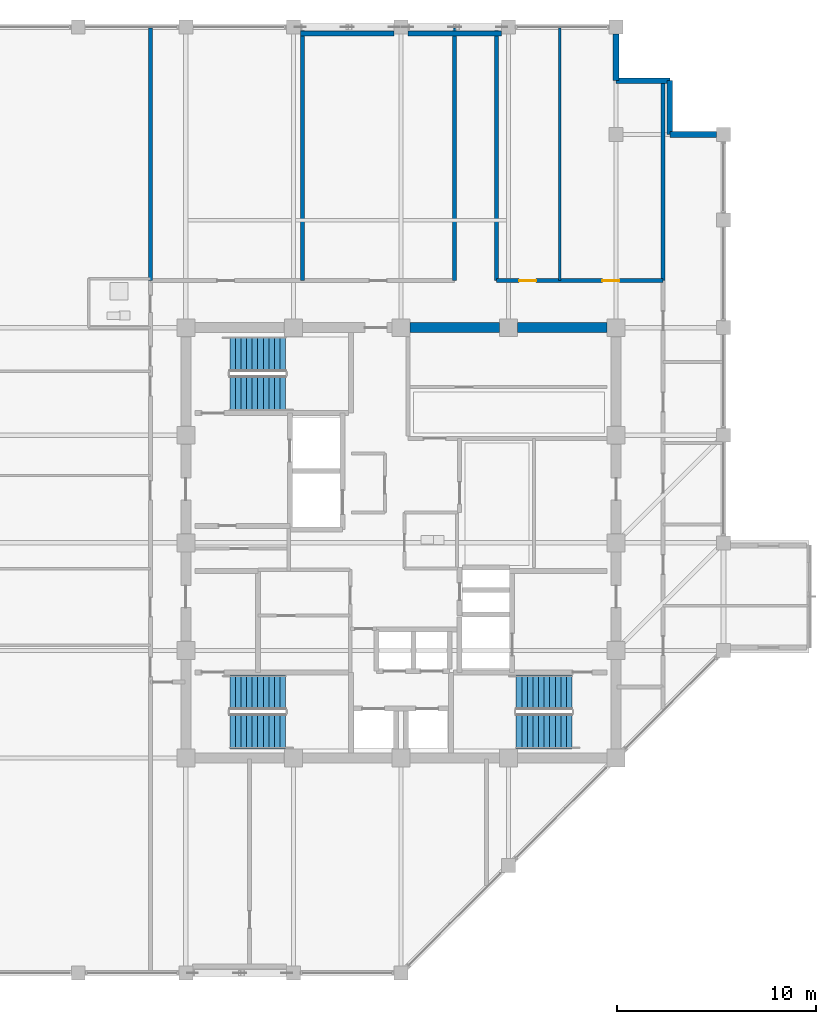
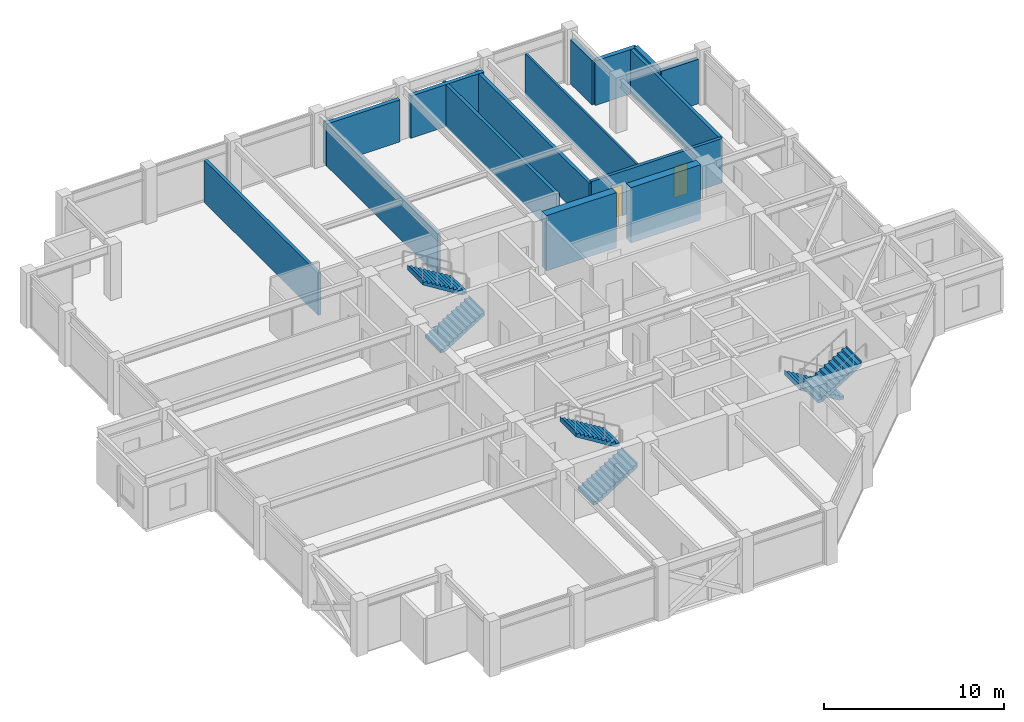
# One storey, part 28 of 31: 15 walls, 6 stair flights, 2 doors, 2 openings, 3 elements without a shape of their own.
"""IFC4 building model written with IfcOpenShell, lengths in metres."""

import ifcopenshell
import ifcopenshell.guid

model = None  # the IFC model being written
_history = None  # IfcOwnerHistory: only IFC2X3 demands one
_inside = {}  # id of a spatial element -> (the spatial element, [elements in it])
_under = {}  # id of a project, library or spatial element -> (it, [spatial elements below it])
_declared = {}  # id of a project -> (the project, [libraries it declares])
_typed = {}  # id of a type object -> (the type object, [elements of that type])
_made_of = {}  # id of a material, layer set ... -> (it, [elements and type objects made of it])


def new_model(schema):
    """Start an empty IFC model of exactly this schema.

    Asked for "IFC4X3", IfcOpenShell would pick the latest addendum, in which some entities
    have other attributes; the version numbers below select the first issue.
    IFC2X3 requires an IfcOwnerHistory on every rooted entity: one is made here for all.
    """
    global model, _history
    if schema == "IFC4X3":
        model = ifcopenshell.file(schema_version=(4, 3, 0, 0))
    else:
        model = ifcopenshell.file(schema=schema)
    _inside.clear()
    _under.clear()
    _declared.clear()
    _typed.clear()
    _made_of.clear()
    _history = None
    if model.schema == "IFC2X3":
        org = make("IfcOrganization", Name="unknown")
        user = make(
            "IfcPersonAndOrganization",
            ThePerson=make("IfcPerson", FamilyName="unknown"),
            TheOrganization=org,
        )
        app = make(
            "IfcApplication",
            ApplicationDeveloper=org,
            Version="unknown",
            ApplicationFullName="unknown",
            ApplicationIdentifier="unknown",
        )
        _history = make(
            "IfcOwnerHistory",
            OwningUser=user,
            OwningApplication=app,
            ChangeAction="ADDED",
            CreationDate=0,
        )
    return model


def make(cls, **values):
    """One entity of the class cls with the attributes given. An attribute that is None is left unset."""
    return model.create_entity(
        cls, **{name: value for name, value in values.items() if value is not None}
    )


def rooted(cls, **values):
    """An entity with a GlobalId (a new one), such as an element, a storey or a relation."""
    return make(cls, GlobalId=ifcopenshell.guid.new(), OwnerHistory=_history, **values)


def si_unit(unit_type, name, prefix=None):
    """IfcSIUnit, for example si_unit("LENGTHUNIT", "METRE", prefix="MILLI")."""
    return make("IfcSIUnit", UnitType=unit_type, Prefix=prefix, Name=name)


def assignment(units):
    """IfcUnitAssignment: the units of a project."""
    return None if units is None else make("IfcUnitAssignment", Units=units)


def point(xyz):
    """IfcCartesianPoint."""
    return None if xyz is None else make("IfcCartesianPoint", Coordinates=xyz)


def direction(xyz):
    """IfcDirection."""
    return None if xyz is None else make("IfcDirection", DirectionRatios=xyz)


def frame(location, z_axis=None, x_axis=None):
    """IfcAxis2Placement3D, a coordinate frame: its origin and axes. An axis left out is left unset."""
    return make(
        "IfcAxis2Placement3D",
        Location=point(location),
        Axis=direction(z_axis),
        RefDirection=direction(x_axis),
    )


def frame_2d(location, x_axis=None):
    """IfcAxis2Placement2D, a coordinate frame in the plane: its origin and x axis."""
    return make(
        "IfcAxis2Placement2D", Location=point(location), RefDirection=direction(x_axis)
    )


def origin():
    """The frame at (0, 0, 0) with its axes left unset."""
    return frame((0.0, 0.0, 0.0))


def place(relative_to, where):
    """IfcLocalPlacement: puts the frame where relative to a parent placement (None: the world)."""
    return make(
        "IfcLocalPlacement", PlacementRelTo=relative_to, RelativePlacement=where
    )


def context(
    kind, dimensions, precision=None, world=None, true_north=None, identifier=None
):
    """IfcGeometricRepresentationContext, for example the 3D "Model" context."""
    return make(
        "IfcGeometricRepresentationContext",
        ContextIdentifier=identifier,
        ContextType=kind,
        CoordinateSpaceDimension=dimensions,
        Precision=precision,
        WorldCoordinateSystem=world,
        TrueNorth=true_north,
    )


def subcontext(parent, identifier, kind, view, scale=None):
    """IfcGeometricRepresentationSubContext, for example "Body" below "Model"."""
    return make(
        "IfcGeometricRepresentationSubContext",
        ContextIdentifier=identifier,
        ContextType=kind,
        ParentContext=parent,
        TargetScale=scale,
        TargetView=view,
    )


def project(units=None, contexts=None):
    """IfcProject with its units and contexts."""
    return rooted(
        "IfcProject",
        Name="project",
        RepresentationContexts=contexts,
        UnitsInContext=assignment(units),
    )


def spatial(cls, under=None, at=None, **own):
    """A site, building, storey or space (cls), placed at a placement, below another one or the project."""
    s = rooted(cls, ObjectPlacement=at, **own)
    if under is not None:
        _under.setdefault(under.id(), (under, []))[1].append(s)
    return s


def polyline(points):
    """IfcPolyline through the points."""
    return make("IfcPolyline", Points=[point(p) for p in points])


def profile(cls, at=None, kind="AREA", **sizes):
    """A parametric profile (cls). Its sizes go by their IFC names, for example OverallWidth=200.0."""
    return make(cls, ProfileType=kind, Position=at, **sizes)


def rectangle(**sizes):
    """IfcRectangleProfileDef."""
    return profile("IfcRectangleProfileDef", **sizes)


def outline(outer, holes=None, kind="AREA"):
    """IfcArbitraryClosedProfileDef: a profile drawn as a closed curve; with holes, ...WithVoids."""
    if holes is None:
        return make("IfcArbitraryClosedProfileDef", ProfileType=kind, OuterCurve=outer)
    return make(
        "IfcArbitraryProfileDefWithVoids",
        ProfileType=kind,
        OuterCurve=outer,
        InnerCurves=holes,
    )


def extrude(swept, where, along, depth):
    """IfcExtrudedAreaSolid: the profile swept, set in the frame where, extruded along a direction by depth."""
    return make(
        "IfcExtrudedAreaSolid",
        SweptArea=swept,
        Position=where,
        ExtrudedDirection=direction(along),
        Depth=depth,
    )


def shape(context_of_items, identifier, shape_type, items):
    """IfcShapeRepresentation: the items that make up one representation, for example the "Body"."""
    return make(
        "IfcShapeRepresentation",
        ContextOfItems=context_of_items,
        RepresentationIdentifier=identifier,
        RepresentationType=shape_type,
        Items=items,
    )


def material(Name=None, Category=None):
    """IfcMaterial."""
    return make("IfcMaterial", Name=Name, Category=Category)


def layer(
    of_material, thickness, ventilated=None, Name=None, Category=None, Priority=None
):
    """IfcMaterialLayer: one layer of a wall or slab, of a material (None: an air gap)."""
    return make(
        "IfcMaterialLayer",
        Material=of_material,
        LayerThickness=thickness,
        IsVentilated=ventilated,
        Name=Name,
        Category=Category,
        Priority=Priority,
    )


def layer_set(layers, Name=None):
    """IfcMaterialLayerSet."""
    return make("IfcMaterialLayerSet", MaterialLayers=layers, LayerSetName=Name)


def made_of(thing, what):
    """Note that an element or type object is made of a material, layer set ...; save() writes the relation."""
    if what is not None:
        _made_of.setdefault(what.id(), (what, []))[1].append(thing)
    return thing


def type_object(cls, material=None, **own):
    """A type object (cls), such as IfcWallType, which elements share."""
    return made_of(rooted(cls, **own), material)


def element(
    cls,
    number,
    at=None,
    inside=None,
    cuts=None,
    type_object=None,
    material=None,
    context=None,
    identifier="Body",
    shape_type=None,
    held_by="IfcProductDefinitionShape",
    body=None,
    shapes=None,
    **own,
):
    """One element of the class cls, such as IfcWall. Its Tag is "e" and its number.

    at: its placement. inside: the storey or other place that contains it. cuts: it is an
    opening in that element (IfcRelVoidsElement). A single representation is given by context,
    identifier, shape_type and body (its items); several are given by shapes. held_by: the class
    of the entity that holds the representations. save() writes the other relations.
    """
    e = rooted(cls, Tag="e%d" % number, ObjectPlacement=at, **own)
    if body is not None:
        shapes = [shape(context, identifier, shape_type, body)]
    if shapes is not None:
        e.Representation = make(held_by, Representations=shapes)
    if inside is not None:
        _inside.setdefault(inside.id(), (inside, []))[1].append(e)
    if cuts is not None:
        rooted(
            "IfcRelVoidsElement", RelatingBuildingElement=cuts, RelatedOpeningElement=e
        )
    if type_object is not None:
        _typed.setdefault(type_object.id(), (type_object, []))[1].append(e)
    return made_of(e, material)


def fill(opening, filler):
    """IfcRelFillsElement: the door or window that sits in an opening."""
    return rooted(
        "IfcRelFillsElement",
        RelatingOpeningElement=opening,
        RelatedBuildingElement=filler,
    )


def aggregate(whole, parts):
    """IfcRelAggregates: a whole, such as a stair, and the parts it consists of."""
    return rooted("IfcRelAggregates", RelatingObject=whole, RelatedObjects=parts)


def save(model, path):
    """Write the relations noted so far, then the file.

    IfcRelAggregates (storeys below a building ...), IfcRelContainedInSpatialStructure (elements
    in a storey), IfcRelDefinesByType, IfcRelAssociatesMaterial and IfcRelDeclares: one each for
    every whole, place, type object, material and project.
    """
    for whole, parts in _under.values():
        aggregate(whole, parts)
    for where, things in _inside.values():
        rooted(
            "IfcRelContainedInSpatialStructure",
            RelatedElements=things,
            RelatingStructure=where,
        )
    for kind, things in _typed.values():
        rooted("IfcRelDefinesByType", RelatedObjects=things, RelatingType=kind)
    for what, things in _made_of.values():
        rooted("IfcRelAssociatesMaterial", RelatedObjects=things, RelatingMaterial=what)
    for by, libraries in _declared.values():
        rooted("IfcRelDeclares", RelatingContext=by, RelatedDefinitions=libraries)
    model.write(path)


model = new_model("IFC4")

# Units and contexts
model_context = context("Model", 3, precision=1e-05, world=origin(), true_north=direction((0.0, 1.0)))
body_context = subcontext(model_context, "Body", "Model", "MODEL_VIEW")
ifc_project = project(units=[si_unit("LENGTHUNIT", "METRE"), si_unit("AREAUNIT", "SQUARE_METRE"), si_unit("VOLUMEUNIT", "CUBIC_METRE"), si_unit("PLANEANGLEUNIT", "RADIAN"), si_unit("MASSUNIT", "GRAM", prefix="KILO")], contexts=[model_context])

# Site, building, storey
site_placement = place(None, origin())
site = spatial("IfcSite", under=ifc_project, at=site_placement, CompositionType="ELEMENT")
building_placement = place(site_placement, origin())
building = spatial("IfcBuilding", under=site, at=building_placement, Name="Surkhivell Harbour Commons", CompositionType="ELEMENT")
storey_placement = place(building_placement, frame((0.0, 0.0, 318.75)))
storey = spatial("IfcBuildingStorey", under=building, at=storey_placement, Name="L83", CompositionType="ELEMENT", Elevation=318.75)

# Walls
ifc_material_1 = material(Name="Concrete C50/60", Category="concrete")
ifc_layer_1 = layer(ifc_material_1, 0.5)
ifc_layer_set_1 = layer_set([ifc_layer_1], Name="Concrete C50/60")
wall_type_1 = type_object("IfcWallType", Name="WAL-CORE-500", PredefinedType="SHEAR", material=ifc_layer_set_1)
for number, where, z_axis, x_axis, name in (
    (1, (0.4599609375, 10.800048828125, 0.0), (0.0, 0.0, 1.0), (1.0, 0.0, 0.0), "L83 Core Shear Wall North 3"),
    (2, (5.860107421875, 10.800048828125, 0.0), (0.0, 0.0, 1.0), (1.0, 0.0, 0.0), "L83 Core Shear Wall North 4"),
):
    element("IfcWall", number, at=place(storey_placement, frame(where, z_axis=z_axis, x_axis=x_axis)), inside=storey, type_object=wall_type_1, Name=name, PredefinedType="SHEAR", context=body_context, shape_type="SweptSolid", body=[
        extrude(rectangle(XDim=4.47998046875, YDim=0.5, at=frame_2d((2.239990234375, 0.0))), origin(), (0.0, 0.0, 1.0), 3.75),
    ])
ifc_material_2 = material(Name="Pale-metal insulated precast concrete C45/55", Category="concrete")
ifc_layer_2 = layer(ifc_material_2, 0.260009765625)
ifc_layer_set_2 = layer_set([ifc_layer_2], Name="Pale-metal insulated precast concrete C45/55")
wall_type_2 = type_object("IfcWallType", Name="WAL-EXT-MTL260", PredefinedType="STANDARD", material=ifc_layer_set_2)
for number, where, z_axis, x_axis, name in (
    (3, (-0.347900390625, 25.56494140625, 0.0), (0.0, 0.0, 1.0), (-1.0, 0.0, 0.0), "L83 Braced-Bay Insulated Spandrel Backing N"),
    (4, (5.052001953125, 25.56494140625, 0.0), (0.0, 0.0, 1.0), (-1.0, 0.0, 0.0), "L83 Braced-Bay Insulated Spandrel Backing N2"),
):
    element("IfcWall", number, at=place(storey_placement, frame(where, z_axis=z_axis, x_axis=x_axis)), inside=storey, type_object=wall_type_2, Name=name, PredefinedType="STANDARD", context=body_context, shape_type="SweptSolid", body=[
        extrude(rectangle(XDim=4.7041015625, YDim=0.260009765625, at=frame_2d((2.35205078125, 0.0))), origin(), (0.0, 0.0, 1.0), 2.85693359375),
    ])
ifc_material_3 = material(Name="Terracotta-clad reinforced concrete C45/55", Category="masonry")
ifc_layer_3 = layer(ifc_material_3, 0.280029296875)
ifc_layer_set_3 = layer_set([ifc_layer_3], Name="Terracotta-clad reinforced concrete C45/55")
wall_type_3 = type_object("IfcWallType", Name="WAL-EXT-TER280", PredefinedType="STANDARD", material=ifc_layer_set_3)
wall_1_placement = place(storey_placement, frame((15.85205078125, 20.5, 0.0), z_axis=(0.0, 0.0, 1.0), x_axis=(-1.0, 0.0, 0.0)))
element("IfcWall", 5, at=wall_1_placement, inside=storey, type_object=wall_type_3, Name="L83 Serrated Corner Facade Wall 03", PredefinedType="STANDARD", context=body_context, shape_type="SweptSolid", body=[
    extrude(rectangle(XDim=2.35205078125, YDim=0.280029296875, at=frame_2d((1.176025390625, 0.0))), origin(), (0.0, 0.0, 1.0), 3.012939453125),
])
for number, where, z_axis, x_axis, name in (
    (6, (13.5, 20.5, 0.0), (0.0, 0.0, 1.0), (0.0, 1.0, 0.0), "L83 Serrated Corner Facade Wall 04"),
    (7, (13.5, 23.199951171875, 0.0), (0.0, 0.0, 1.0), (-1.0, 0.0, 0.0), "L83 Serrated Corner Facade Wall 05"),
):
    element("IfcWall", number, at=place(storey_placement, frame(where, z_axis=z_axis, x_axis=x_axis)), inside=storey, type_object=wall_type_3, Name=name, PredefinedType="STANDARD", context=body_context, shape_type="SweptSolid", body=[
        extrude(rectangle(XDim=2.699951171875, YDim=0.280029296875, at=frame_2d((1.35009765625, 0.0))), origin(), (0.0, 0.0, 1.0), 3.012939453125),
    ])
wall_2_placement = place(storey_placement, frame((10.800048828125, 23.199951171875, 0.0), z_axis=(0.0, 0.0, 1.0), x_axis=(0.0, 1.0, 0.0)))
element("IfcWall", 8, at=wall_2_placement, inside=storey, type_object=wall_type_3, Name="L83 Serrated Corner Facade Wall 06", PredefinedType="STANDARD", context=body_context, shape_type="SweptSolid", body=[
    extrude(rectangle(XDim=2.35205078125, YDim=0.280029296875, at=frame_2d((1.176025390625, 0.0))), origin(), (0.0, 0.0, 1.0), 3.012939453125),
])
ifc_material_4 = material(Name="Moisture-resistant acoustic stud partition", Category="other")
ifc_layer_4 = layer(ifc_material_4, 0.125)
ifc_layer_set_4 = layer_set([ifc_layer_4], Name="Moisture-resistant acoustic stud partition")
wall_type_4 = type_object("IfcWallType", Name="WAL-INT-125", PredefinedType="PARTITIONING", material=ifc_layer_set_4)
wall_3_placement = place(storey_placement, frame((7.97998046875, 13.159912109375, 0.0), z_axis=(0.0, 0.0, 1.0), x_axis=(0.0, 1.0, 0.0)))
element("IfcWall", 9, at=wall_3_placement, inside=storey, type_object=wall_type_4, Name="L83 North-East Partition P1", PredefinedType="PARTITIONING", context=body_context, shape_type="SweptSolid", body=[
    extrude(rectangle(XDim=12.68017578125, YDim=0.125, at=frame_2d((6.340087890625, 0.0))), origin(), (0.0, 0.0, 1.0), 2.85693359375),
])
ifc_material_5 = material(Name="Autoclaved aerated concrete blockwork and fire plaster", Category="masonry")
ifc_layer_5 = layer(ifc_material_5, 0.199951171875)
ifc_layer_set_5 = layer_set([ifc_layer_5], Name="Autoclaved aerated concrete blockwork and fire plaster")
wall_type_5 = type_object("IfcWallType", Name="WAL-INT-200", PredefinedType="PARTITIONING", material=ifc_layer_set_5)
wall_4_placement = place(storey_placement, frame((13.159912109375, 13.159912109375, 0.0), z_axis=(0.0, 0.0, 1.0), x_axis=(0.0, 1.0, 0.0)))
element("IfcWall", 10, at=wall_4_placement, inside=storey, type_object=wall_type_5, Name="L83 North-East Corner Wall", PredefinedType="PARTITIONING", context=body_context, shape_type="SweptSolid", body=[
    extrude(rectangle(XDim=9.97998046875, YDim=0.199951171875, at=frame_2d((4.989990234375, 0.0))), origin(), (0.0, 0.0, 1.0), 3.012939453125),
])
wall_5_placement = place(storey_placement, frame((-12.580078125, 13.159912109375, 0.0), z_axis=(0.0, 0.0, 1.0), x_axis=(0.0, 1.0, 0.0)))
element("IfcWall", 11, at=wall_5_placement, inside=storey, type_object=wall_type_5, Name="L83 North-West Corner Wall", PredefinedType="PARTITIONING", context=body_context, shape_type="SweptSolid", body=[
    extrude(rectangle(XDim=12.68017578125, YDim=0.199951171875, at=frame_2d((6.340087890625, 0.0))), origin(), (0.0, 0.0, 1.0), 2.85693359375),
])

# Wall, openings, doors
wall_6_placement = place(storey_placement, frame((4.800048828125, 13.159912109375, 0.0), z_axis=(0.0, 0.0, 1.0), x_axis=(1.0, 0.0, 0.0)))
wall_6 = element("IfcWall", 12, at=wall_6_placement, inside=storey, type_object=wall_type_5, Name="L83 North-East Corridor Wall", PredefinedType="PARTITIONING", context=body_context, shape_type="SweptSolid", body=[
    extrude(rectangle(XDim=8.35986328125, YDim=0.199951171875, at=frame_2d((4.179931640625, 0.0))), origin(), (0.0, 0.0, 1.0), 3.012939453125),
])
opening_1_placement = place(wall_6_placement, frame((1.139892578125, 0.0, 0.0)))
opening_1 = element("IfcOpeningElement", 13, at=opening_1_placement, cuts=wall_6, Name="Opening ID-6", PredefinedType="OPENING", context=body_context, shape_type="SweptSolid", body=[
    extrude(rectangle(XDim=0.85009765625, YDim=2.10009765625, at=frame_2d((0.425048828125, 1.050048828125))), frame((0.0, 0.10986328125, 0.0), z_axis=(0.0, -1.0, 0.0), x_axis=(1.0, 0.0, 0.0)), (0.0, 0.0, 1.0), 0.219970703125),
])
opening_2_placement = place(wall_6_placement, frame((5.320068359375, 0.0, 0.0)))
opening_2 = element("IfcOpeningElement", 14, at=opening_2_placement, cuts=wall_6, Name="Opening ID-6", PredefinedType="OPENING", context=body_context, shape_type="SweptSolid", body=[
    extrude(rectangle(XDim=0.85009765625, YDim=2.10009765625, at=frame_2d((0.425048828125, 1.050048828125))), frame((0.0, 0.10986328125, 0.0), z_axis=(0.0, -1.0, 0.0), x_axis=(1.0, 0.0, 0.0)), (0.0, 0.0, 1.0), 0.219970703125),
])
ifc_material_6 = material(Name="Hardwood-veneered fire-rated door leaf", Category="wood")
door_type = type_object("IfcDoorType", Name="DOR-FD30-850", OperationType="NOTDEFINED", PredefinedType="DOOR", material=ifc_material_6)
door_1_placement = place(opening_1_placement, origin())
door_1 = element("IfcDoor", 15, at=door_1_placement, inside=storey, type_object=door_type, Name="L83 Harbour Reading Library North-East Door", OperationType="SINGLE_SWING_RIGHT", OverallHeight=2.10009765625, OverallWidth=0.85009765625, PredefinedType="DOOR", context=body_context, shape_type="SweptSolid", body=[
    extrude(rectangle(XDim=0.85009765625, YDim=2.10009765625, at=frame_2d((0.425048828125, 1.050048828125))), frame((0.0, 0.02490234375, 0.0), z_axis=(0.0, -1.0, 0.0), x_axis=(1.0, 0.0, 0.0)), (0.0, 0.0, 1.0), 0.050048828125),
])
fill(opening_1, door_1)
door_2_placement = place(opening_2_placement, origin())
door_2 = element("IfcDoor", 16, at=door_2_placement, inside=storey, type_object=door_type, Name="L83 Communal Dining Hall North-East Door", OperationType="SINGLE_SWING_LEFT", OverallHeight=2.10009765625, OverallWidth=0.85009765625, PredefinedType="DOOR", context=body_context, shape_type="SweptSolid", body=[
    extrude(rectangle(XDim=0.85009765625, YDim=2.10009765625, at=frame_2d((0.425048828125, 1.050048828125))), frame((0.0, 0.02490234375, 0.0), z_axis=(0.0, -1.0, 0.0), x_axis=(1.0, 0.0, 0.0)), (0.0, 0.0, 1.0), 0.050048828125),
])
fill(opening_2, door_2)

# Walls
for number, where, z_axis, x_axis, name in (
    (17, (4.800048828125, 13.159912109375, 0.0), (0.0, 0.0, 1.0), (0.0, 1.0, 0.0), "L83 North Spur East Wall"),
    (18, (2.699951171875, 13.159912109375, 0.0), (0.0, 0.0, 1.0), (0.0, 1.0, 0.0), "L83 North Spur West Wall"),
    (19, (-4.93994140625, 13.159912109375, 0.0), (0.0, 0.0, 1.0), (0.0, 1.0, 0.0), "L83 North-West Partition P1"),
):
    element("IfcWall", number, at=place(storey_placement, frame(where, z_axis=z_axis, x_axis=x_axis)), inside=storey, type_object=wall_type_5, Name=name, PredefinedType="PARTITIONING", context=body_context, shape_type="SweptSolid", body=[
        extrude(rectangle(XDim=12.68017578125, YDim=0.199951171875, at=frame_2d((6.340087890625, 0.0))), origin(), (0.0, 0.0, 1.0), 2.85693359375),
    ])

# Stair, stair flights
ifc_material_7 = material(Name="Precast concrete C45/55", Category="concrete")
stair_type = type_object("IfcStairType", Name="STR-DL-375", PredefinedType="HALF_TURN_STAIR", material=ifc_material_7)
stair_1_placement = place(storey_placement, origin())
stair_1 = element("IfcStair", 20, at=stair_1_placement, inside=storey, type_object=stair_type, Name="L83 Core Exit Stair ST1", PredefinedType="HALF_TURN_STAIR")
stair_flight_type = type_object("IfcStairFlightType", Name="STF-DL-375", PredefinedType="STRAIGHT", material=ifc_material_7)
stair_flight_1_placement = place(storey_placement, frame((-8.590087890625, 7.514892578125, 0.0), z_axis=(0.0, 0.0, 1.0), x_axis=(1.0, 0.0, 0.0)))
stair_flight_1 = element("IfcStairFlight", 21, at=stair_flight_1_placement, type_object=stair_flight_type, Name="ST1 flight 1", NumberOfRisers=11, NumberOfTreads=10, PredefinedType="STRAIGHT", RiserHeight=0.170454545, TreadLength=0.28, context=body_context, shape_type="SweptSolid", body=[
    extrude(outline(polyline([(-0.0029296875, -0.034912109375), (-0.0029296875, 0.0), (0.0, 0.0), (0.0, 0.17041015625), (0.280029296875, 0.17041015625), (0.280029296875, 0.3408203125), (0.56005859375, 0.3408203125), (0.56005859375, 0.511474609375), (0.840087890625, 0.511474609375), (0.840087890625, 0.681884765625), (1.1201171875, 0.681884765625), (1.1201171875, 0.852294921875), (1.39990234375, 0.852294921875), (1.39990234375, 1.022705078125), (1.679931640625, 1.022705078125), (1.679931640625, 1.193115234375), (1.9599609375, 1.193115234375), (1.9599609375, 1.363525390625), (2.239990234375, 1.363525390625), (2.239990234375, 1.5341796875), (2.52001953125, 1.5341796875), (2.52001953125, 1.70458984375), (2.800048828125, 1.70458984375), (2.800048828125, 1.875), (2.802978515625, 1.875), (2.802978515625, 1.529052734375), (0.288330078125, -0.034912109375), (-0.0029296875, -0.034912109375)])), frame((0.0, 0.875, 0.0), z_axis=(0.0, -1.0, 0.0), x_axis=(1.0, 0.0, 0.0)), (0.0, 0.0, 1.0), 1.75),
])
stair_flight_2_placement = place(storey_placement, frame((-5.7900390625, 9.465087890625, 1.875), z_axis=(0.0, 0.0, 1.0), x_axis=(-1.0, 0.0, 0.0)))
stair_flight_2 = element("IfcStairFlight", 22, at=stair_flight_2_placement, type_object=stair_flight_type, Name="ST1 flight 2", NumberOfRisers=11, NumberOfTreads=10, PredefinedType="STRAIGHT", RiserHeight=0.170454545, TreadLength=0.28, context=body_context, shape_type="SweptSolid", body=[
    extrude(outline(polyline([(-0.0029296875, -0.034912109375), (-0.0029296875, 0.0), (0.0, 0.0), (0.0, 0.17041015625), (0.280029296875, 0.17041015625), (0.280029296875, 0.3408203125), (0.56005859375, 0.3408203125), (0.56005859375, 0.511474609375), (0.840087890625, 0.511474609375), (0.840087890625, 0.681884765625), (1.1201171875, 0.681884765625), (1.1201171875, 0.852294921875), (1.39990234375, 0.852294921875), (1.39990234375, 1.022705078125), (1.679931640625, 1.022705078125), (1.679931640625, 1.193115234375), (1.9599609375, 1.193115234375), (1.9599609375, 1.363525390625), (2.239990234375, 1.363525390625), (2.239990234375, 1.5341796875), (2.52001953125, 1.5341796875), (2.52001953125, 1.70458984375), (2.800048828125, 1.70458984375), (2.800048828125, 1.875), (2.802978515625, 1.875), (2.802978515625, 1.529052734375), (0.288330078125, -0.034912109375), (-0.0029296875, -0.034912109375)])), frame((0.0, 0.875, 0.0), z_axis=(0.0, -1.0, 0.0), x_axis=(1.0, 0.0, 0.0)), (0.0, 0.0, 1.0), 1.75),
])
aggregate(stair_1, [stair_flight_1, stair_flight_2])

stair_2_placement = place(storey_placement, origin())
stair_2 = element("IfcStair", 23, at=stair_2_placement, inside=storey, type_object=stair_type, Name="L83 Core Exit Stair ST2", PredefinedType="HALF_TURN_STAIR")
stair_flight_3_placement = place(storey_placement, frame((8.590087890625, -7.514892578125, 0.0), z_axis=(0.0, 0.0, 1.0), x_axis=(-1.0, 0.0, 0.0)))
stair_flight_3 = element("IfcStairFlight", 24, at=stair_flight_3_placement, type_object=stair_flight_type, Name="ST2 flight 1", NumberOfRisers=11, NumberOfTreads=10, PredefinedType="STRAIGHT", RiserHeight=0.170454545, TreadLength=0.28, context=body_context, shape_type="SweptSolid", body=[
    extrude(outline(polyline([(-0.0029296875, -0.034912109375), (-0.0029296875, 0.0), (0.0, 0.0), (0.0, 0.17041015625), (0.280029296875, 0.17041015625), (0.280029296875, 0.3408203125), (0.56005859375, 0.3408203125), (0.56005859375, 0.511474609375), (0.840087890625, 0.511474609375), (0.840087890625, 0.681884765625), (1.1201171875, 0.681884765625), (1.1201171875, 0.852294921875), (1.39990234375, 0.852294921875), (1.39990234375, 1.022705078125), (1.679931640625, 1.022705078125), (1.679931640625, 1.193115234375), (1.9599609375, 1.193115234375), (1.9599609375, 1.363525390625), (2.239990234375, 1.363525390625), (2.239990234375, 1.5341796875), (2.52001953125, 1.5341796875), (2.52001953125, 1.70458984375), (2.800048828125, 1.70458984375), (2.800048828125, 1.875), (2.802978515625, 1.875), (2.802978515625, 1.529052734375), (0.288330078125, -0.034912109375), (-0.0029296875, -0.034912109375)])), frame((0.0, 0.875, 0.0), z_axis=(0.0, -1.0, 0.0), x_axis=(1.0, 0.0, 0.0)), (0.0, 0.0, 1.0), 1.75),
])
stair_flight_4_placement = place(storey_placement, frame((5.7900390625, -9.465087890625, 1.875), z_axis=(0.0, 0.0, 1.0), x_axis=(1.0, 0.0, 0.0)))
stair_flight_4 = element("IfcStairFlight", 25, at=stair_flight_4_placement, type_object=stair_flight_type, Name="ST2 flight 2", NumberOfRisers=11, NumberOfTreads=10, PredefinedType="STRAIGHT", RiserHeight=0.170454545, TreadLength=0.28, context=body_context, shape_type="SweptSolid", body=[
    extrude(outline(polyline([(-0.0029296875, -0.034912109375), (-0.0029296875, 0.0), (0.0, 0.0), (0.0, 0.17041015625), (0.280029296875, 0.17041015625), (0.280029296875, 0.3408203125), (0.56005859375, 0.3408203125), (0.56005859375, 0.511474609375), (0.840087890625, 0.511474609375), (0.840087890625, 0.681884765625), (1.1201171875, 0.681884765625), (1.1201171875, 0.852294921875), (1.39990234375, 0.852294921875), (1.39990234375, 1.022705078125), (1.679931640625, 1.022705078125), (1.679931640625, 1.193115234375), (1.9599609375, 1.193115234375), (1.9599609375, 1.363525390625), (2.239990234375, 1.363525390625), (2.239990234375, 1.5341796875), (2.52001953125, 1.5341796875), (2.52001953125, 1.70458984375), (2.800048828125, 1.70458984375), (2.800048828125, 1.875), (2.802978515625, 1.875), (2.802978515625, 1.529052734375), (0.288330078125, -0.034912109375), (-0.0029296875, -0.034912109375)])), frame((0.0, 0.875, 0.0), z_axis=(0.0, -1.0, 0.0), x_axis=(1.0, 0.0, 0.0)), (0.0, 0.0, 1.0), 1.75),
])
aggregate(stair_2, [stair_flight_3, stair_flight_4])

stair_3_placement = place(storey_placement, origin())
stair_3 = element("IfcStair", 26, at=stair_3_placement, inside=storey, type_object=stair_type, Name="L83 Core Exit Stair ST3", PredefinedType="HALF_TURN_STAIR")
stair_flight_5_placement = place(storey_placement, frame((-8.590087890625, -9.465087890625, 0.0), z_axis=(0.0, 0.0, 1.0), x_axis=(1.0, 0.0, 0.0)))
stair_flight_5 = element("IfcStairFlight", 27, at=stair_flight_5_placement, type_object=stair_flight_type, Name="ST3 flight 1", NumberOfRisers=11, NumberOfTreads=10, PredefinedType="STRAIGHT", RiserHeight=0.170454545, TreadLength=0.28, context=body_context, shape_type="SweptSolid", body=[
    extrude(outline(polyline([(-0.0029296875, -0.034912109375), (-0.0029296875, 0.0), (0.0, 0.0), (0.0, 0.17041015625), (0.280029296875, 0.17041015625), (0.280029296875, 0.3408203125), (0.56005859375, 0.3408203125), (0.56005859375, 0.511474609375), (0.840087890625, 0.511474609375), (0.840087890625, 0.681884765625), (1.1201171875, 0.681884765625), (1.1201171875, 0.852294921875), (1.39990234375, 0.852294921875), (1.39990234375, 1.022705078125), (1.679931640625, 1.022705078125), (1.679931640625, 1.193115234375), (1.9599609375, 1.193115234375), (1.9599609375, 1.363525390625), (2.239990234375, 1.363525390625), (2.239990234375, 1.5341796875), (2.52001953125, 1.5341796875), (2.52001953125, 1.70458984375), (2.800048828125, 1.70458984375), (2.800048828125, 1.875), (2.802978515625, 1.875), (2.802978515625, 1.529052734375), (0.288330078125, -0.034912109375), (-0.0029296875, -0.034912109375)])), frame((0.0, 0.875, 0.0), z_axis=(0.0, -1.0, 0.0), x_axis=(1.0, 0.0, 0.0)), (0.0, 0.0, 1.0), 1.75),
])
stair_flight_6_placement = place(storey_placement, frame((-5.7900390625, -7.514892578125, 1.875), z_axis=(0.0, 0.0, 1.0), x_axis=(-1.0, 0.0, 0.0)))
stair_flight_6 = element("IfcStairFlight", 28, at=stair_flight_6_placement, type_object=stair_flight_type, Name="ST3 flight 2", NumberOfRisers=11, NumberOfTreads=10, PredefinedType="STRAIGHT", RiserHeight=0.170454545, TreadLength=0.28, context=body_context, shape_type="SweptSolid", body=[
    extrude(outline(polyline([(-0.0029296875, -0.034912109375), (-0.0029296875, 0.0), (0.0, 0.0), (0.0, 0.17041015625), (0.280029296875, 0.17041015625), (0.280029296875, 0.3408203125), (0.56005859375, 0.3408203125), (0.56005859375, 0.511474609375), (0.840087890625, 0.511474609375), (0.840087890625, 0.681884765625), (1.1201171875, 0.681884765625), (1.1201171875, 0.852294921875), (1.39990234375, 0.852294921875), (1.39990234375, 1.022705078125), (1.679931640625, 1.022705078125), (1.679931640625, 1.193115234375), (1.9599609375, 1.193115234375), (1.9599609375, 1.363525390625), (2.239990234375, 1.363525390625), (2.239990234375, 1.5341796875), (2.52001953125, 1.5341796875), (2.52001953125, 1.70458984375), (2.800048828125, 1.70458984375), (2.800048828125, 1.875), (2.802978515625, 1.875), (2.802978515625, 1.529052734375), (0.288330078125, -0.034912109375), (-0.0029296875, -0.034912109375)])), frame((0.0, 0.875, 0.0), z_axis=(0.0, -1.0, 0.0), x_axis=(1.0, 0.0, 0.0)), (0.0, 0.0, 1.0), 1.75),
])
aggregate(stair_3, [stair_flight_5, stair_flight_6])

save(model, "model.ifc")
